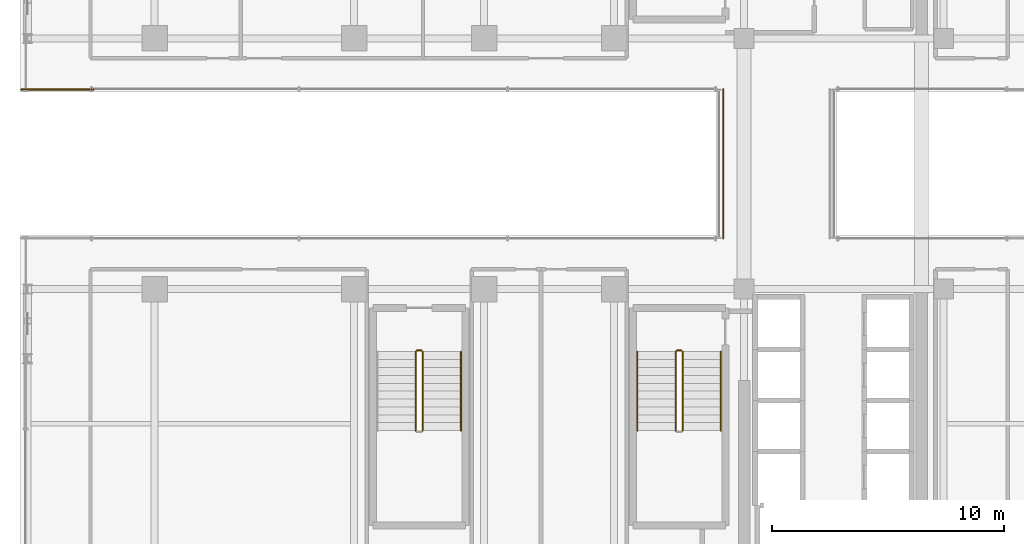
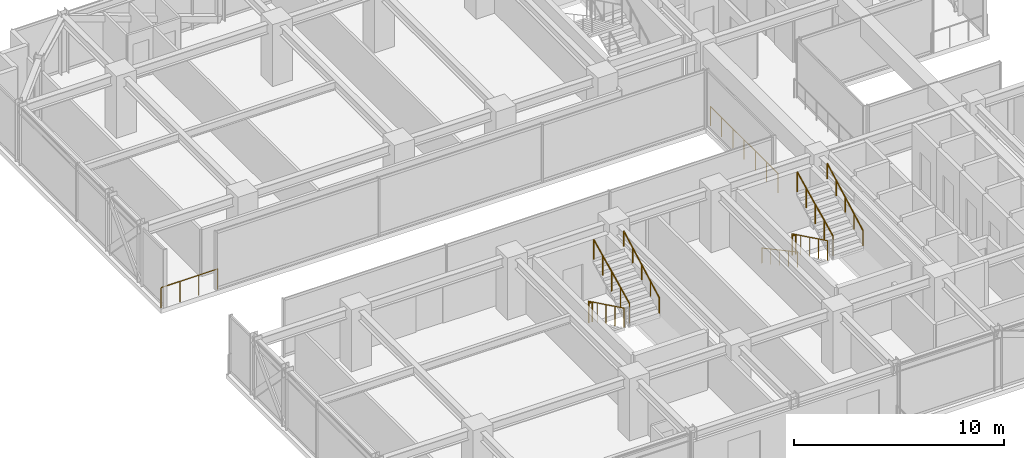
# One storey, part 36 of 38: 11 railings.
"""IFC4 building model written with IfcOpenShell, lengths in metres."""

from ifc_helpers import new_model, si_unit, direction, frame, origin, origin_2d, place, context, subcontext, project, spatial, circle, extrude, material, type_object, element, save


model = new_model("IFC4")

# Units and contexts
model_context = context("Model", 3, precision=1e-05, world=origin(), true_north=direction((0.0, 1.0)))
body_context = subcontext(model_context, "Body", "Model", "MODEL_VIEW")
ifc_project = project(units=[si_unit("LENGTHUNIT", "METRE"), si_unit("AREAUNIT", "SQUARE_METRE"), si_unit("VOLUMEUNIT", "CUBIC_METRE"), si_unit("PLANEANGLEUNIT", "RADIAN"), si_unit("MASSUNIT", "GRAM", prefix="KILO")], contexts=[model_context])

# Site, building, storey
site_placement = place(None, origin())
site = spatial("IfcSite", under=ifc_project, at=site_placement, CompositionType="ELEMENT")
building_placement = place(site_placement, origin())
building = spatial("IfcBuilding", under=site, at=building_placement, Name="Nahalor Promenade Grand Hotel", CompositionType="ELEMENT")
storey_placement = place(building_placement, frame((0.0, 0.0, 163.60009765625)))
storey = spatial("IfcBuildingStorey", under=building, at=storey_placement, Name="L41", CompositionType="ELEMENT", Elevation=163.60009765625)

# Railings
ifc_material_1 = material(Name="Anodised Bronze Aluminium EN AW-6063 T6", Category="aluminium")
railing_type_1 = type_object("IfcRailingType", Name="Bronze Balcony Guardrail 1200 mm", PredefinedType="GUARDRAIL", material=ifc_material_1)
railing_1_placement = place(storey_placement, frame((-22.739990234375, 3.199951171875, 0.0)))
element("IfcRailing", 1, at=railing_1_placement, inside=storey, type_object=railing_type_1, Name="L41 Oculus Void Edge Guardrail WN", PredefinedType="GUARDRAIL", context=body_context, shape_type="SweptSolid", body=[
    extrude(circle(Radius=0.024048, at=origin_2d()), frame((0.0, 0.0, 1.17578125), z_axis=(1.0, 0.0, 0.0), x_axis=(0.0, 1.0, 0.0)), (0.0, 0.0, 1.0), 3.119873046875),
    extrude(circle(Radius=0.020996, at=origin_2d()), origin(), (0.0, 0.0, 1.0), 1.14990234375),
    extrude(circle(Radius=0.020996, at=origin_2d()), frame((1.0400390625, 0.0, 0.0)), (0.0, 0.0, 1.0), 1.14990234375),
    extrude(circle(Radius=0.020996, at=origin_2d()), frame((2.079833984375, 0.0, 0.0)), (0.0, 0.0, 1.0), 1.14990234375),
    extrude(circle(Radius=0.020996, at=origin_2d()), frame((3.119873046875, 0.0, 0.0)), (0.0, 0.0, 1.0), 1.14990234375),
])
railing_type_2 = type_object("IfcRailingType", Name="Bronze Sky Balustrade 1150 mm", PredefinedType="BALUSTRADE", material=ifc_material_1)
railing_2_placement = place(storey_placement, frame((7.5, -3.219970703125, 0.0)))
element("IfcRailing", 2, at=railing_2_placement, inside=storey, type_object=railing_type_2, Name="BL-L41-BRG-W", PredefinedType="BALUSTRADE", context=body_context, shape_type="SweptSolid", body=[
    extrude(circle(Radius=0.024048, at=origin_2d()), frame((0.0, 0.0, 1.1259765625), z_axis=(0.0, 1.0, 0.0), x_axis=(-1.0, 0.0, 0.0)), (0.0, 0.0, 1.0), 6.43994140625),
    extrude(circle(Radius=0.020996, at=origin_2d()), origin(), (0.0, 0.0, 1.0), 1.099853515625),
    extrude(circle(Radius=0.020996, at=origin_2d()), frame((0.0, 1.0732421875, 0.0)), (0.0, 0.0, 1.0), 1.099853515625),
    extrude(circle(Radius=0.020996, at=origin_2d()), frame((0.0, 2.146728515625, 0.0)), (0.0, 0.0, 1.0), 1.099853515625),
    extrude(circle(Radius=0.020996, at=origin_2d()), frame((0.0, 3.219970703125, 0.0)), (0.0, 0.0, 1.0), 1.099853515625),
    extrude(circle(Radius=0.020996, at=origin_2d()), frame((0.0, 4.293212890625, 0.0)), (0.0, 0.0, 1.0), 1.099853515625),
    extrude(circle(Radius=0.020996, at=origin_2d()), frame((0.0, 5.36669921875, 0.0)), (0.0, 0.0, 1.0), 1.099853515625),
    extrude(circle(Radius=0.020996, at=origin_2d()), frame((0.0, 6.43994140625, 0.0)), (0.0, 0.0, 1.0), 1.099853515625),
])
ifc_material_2 = material(Name="Steel S355JR", Category="steel")
railing_type_3 = type_object("IfcRailingType", Name="Steel Stair Guardrail 1150 mm", PredefinedType="GUARDRAIL", material=ifc_material_2)
railing_3_placement = place(storey_placement, frame((5.449951171875, -8.10009765625, 0.165771484375)))
element("IfcRailing", 3, at=railing_3_placement, inside=storey, type_object=railing_type_3, Name="L41 ST2 stair guard 1", PredefinedType="GUARDRAIL", context=body_context, shape_type="SweptSolid", body=[
    extrude(circle(Radius=0.024048, at=origin_2d()), frame((0.0, 0.0, 1.1259765625), z_axis=(0.0, -0.898696488221, 0.438571114028), x_axis=(1.0, 0.0, 0.0)), (0.0, 0.0, 1.0), 3.783203125),
    extrude(circle(Radius=0.020996, at=origin_2d()), origin(), (0.0, 0.0, 1.0), 1.099853515625),
    extrude(circle(Radius=0.020996, at=origin_2d()), frame((0.0, -0.85009765625, 0.414794921875)), (0.0, 0.0, 1.0), 1.099853515625),
    extrude(circle(Radius=0.020996, at=origin_2d()), frame((0.0, -1.699951171875, 0.82958984375)), (0.0, 0.0, 1.0), 1.099853515625),
    extrude(circle(Radius=0.020996, at=origin_2d()), frame((0.0, -2.5498046875, 1.244384765625)), (0.0, 0.0, 1.0), 1.099853515625),
    extrude(circle(Radius=0.020996, at=origin_2d()), frame((0.0, -3.39990234375, 1.6591796875)), (0.0, 0.0, 1.0), 1.099853515625),
])
railing_4_placement = place(storey_placement, frame((5.75, -11.5, 1.99072265625)))
element("IfcRailing", 4, at=railing_4_placement, inside=storey, type_object=railing_type_3, Name="L41 ST2 stair guard 3", PredefinedType="GUARDRAIL", context=body_context, shape_type="SweptSolid", body=[
    extrude(circle(Radius=0.024048, at=origin_2d()), frame((0.0, 0.0, 1.1259765625), z_axis=(0.0, 0.898696488221, 0.438571114028), x_axis=(-1.0, 0.0, 0.0)), (0.0, 0.0, 1.0), 3.783203125),
    extrude(circle(Radius=0.020996, at=origin_2d()), origin(), (0.0, 0.0, 1.0), 1.099853515625),
    extrude(circle(Radius=0.020996, at=origin_2d()), frame((0.0, 0.85009765625, 0.414794921875)), (0.0, 0.0, 1.0), 1.099853515625),
    extrude(circle(Radius=0.020996, at=origin_2d()), frame((0.0, 1.699951171875, 0.82958984375)), (0.0, 0.0, 1.0), 1.099853515625),
    extrude(circle(Radius=0.020996, at=origin_2d()), frame((0.0, 2.5498046875, 1.244384765625)), (0.0, 0.0, 1.0), 1.099853515625),
    extrude(circle(Radius=0.020996, at=origin_2d()), frame((0.0, 3.39990234375, 1.6591796875)), (0.0, 0.0, 1.0), 1.099853515625),
])
railing_5_placement = place(storey_placement, frame((5.5, -8.050048828125, 0.0)))
element("IfcRailing", 5, at=railing_5_placement, inside=storey, type_object=railing_type_3, Name="L41 ST2 stair guard 4", PredefinedType="GUARDRAIL", context=body_context, shape_type="SweptSolid", body=[
    extrude(circle(Radius=0.024048, at=origin_2d()), frame((0.0, 0.0, 1.1259765625), z_axis=(1.0, 0.0, 0.0), x_axis=(0.0, 1.0, 0.0)), (0.0, 0.0, 1.0), 0.199951171875),
    extrude(circle(Radius=0.020996, at=origin_2d()), origin(), (0.0, 0.0, 1.0), 1.099853515625),
    extrude(circle(Radius=0.020996, at=origin_2d()), frame((0.199951171875, 0.0, 0.0)), (0.0, 0.0, 1.0), 1.099853515625),
])
railing_6_placement = place(storey_placement, frame((-5.75, -8.10009765625, 0.165771484375)))
element("IfcRailing", 6, at=railing_6_placement, inside=storey, type_object=railing_type_3, Name="L41 ST3 stair guard 1", PredefinedType="GUARDRAIL", context=body_context, shape_type="SweptSolid", body=[
    extrude(circle(Radius=0.024048, at=origin_2d()), frame((0.0, 0.0, 1.1259765625), z_axis=(0.0, -0.898696488221, 0.438571114028), x_axis=(1.0, 0.0, 0.0)), (0.0, 0.0, 1.0), 3.783203125),
    extrude(circle(Radius=0.020996, at=origin_2d()), origin(), (0.0, 0.0, 1.0), 1.099853515625),
    extrude(circle(Radius=0.020996, at=origin_2d()), frame((0.0, -0.85009765625, 0.414794921875)), (0.0, 0.0, 1.0), 1.099853515625),
    extrude(circle(Radius=0.020996, at=origin_2d()), frame((0.0, -1.699951171875, 0.82958984375)), (0.0, 0.0, 1.0), 1.099853515625),
    extrude(circle(Radius=0.020996, at=origin_2d()), frame((0.0, -2.5498046875, 1.244384765625)), (0.0, 0.0, 1.0), 1.099853515625),
    extrude(circle(Radius=0.020996, at=origin_2d()), frame((0.0, -3.39990234375, 1.6591796875)), (0.0, 0.0, 1.0), 1.099853515625),
])
railing_7_placement = place(storey_placement, frame((-5.449951171875, -11.5, 1.99072265625)))
element("IfcRailing", 7, at=railing_7_placement, inside=storey, type_object=railing_type_3, Name="L41 ST3 stair guard 3", PredefinedType="GUARDRAIL", context=body_context, shape_type="SweptSolid", body=[
    extrude(circle(Radius=0.024048, at=origin_2d()), frame((0.0, 0.0, 1.1259765625), z_axis=(0.0, 0.898696488221, 0.438571114028), x_axis=(-1.0, 0.0, 0.0)), (0.0, 0.0, 1.0), 3.783203125),
    extrude(circle(Radius=0.020996, at=origin_2d()), origin(), (0.0, 0.0, 1.0), 1.099853515625),
    extrude(circle(Radius=0.020996, at=origin_2d()), frame((0.0, 0.85009765625, 0.414794921875)), (0.0, 0.0, 1.0), 1.099853515625),
    extrude(circle(Radius=0.020996, at=origin_2d()), frame((0.0, 1.699951171875, 0.82958984375)), (0.0, 0.0, 1.0), 1.099853515625),
    extrude(circle(Radius=0.020996, at=origin_2d()), frame((0.0, 2.5498046875, 1.244384765625)), (0.0, 0.0, 1.0), 1.099853515625),
    extrude(circle(Radius=0.020996, at=origin_2d()), frame((0.0, 3.39990234375, 1.6591796875)), (0.0, 0.0, 1.0), 1.099853515625),
])
railing_8_placement = place(storey_placement, frame((-5.699951171875, -8.050048828125, 0.0)))
element("IfcRailing", 8, at=railing_8_placement, inside=storey, type_object=railing_type_3, Name="L41 ST3 stair guard 4", PredefinedType="GUARDRAIL", context=body_context, shape_type="SweptSolid", body=[
    extrude(circle(Radius=0.024048, at=origin_2d()), frame((0.0, 0.0, 1.1259765625), z_axis=(1.0, 0.0, 0.0), x_axis=(0.0, 1.0, 0.0)), (0.0, 0.0, 1.0), 0.199951171875),
    extrude(circle(Radius=0.020996, at=origin_2d()), origin(), (0.0, 0.0, 1.0), 1.099853515625),
    extrude(circle(Radius=0.020996, at=origin_2d()), frame((0.199951171875, 0.0, 0.0)), (0.0, 0.0, 1.0), 1.099853515625),
])
railing_type_4 = type_object("IfcRailingType", Name="Steel Stair Handrail 900 mm", PredefinedType="HANDRAIL", material=ifc_material_2)
railing_9_placement = place(storey_placement, frame((3.800048828125, -8.10009765625, 0.165771484375)))
element("IfcRailing", 9, at=railing_9_placement, inside=storey, type_object=railing_type_4, Name="L41 ST2 stair handrail 1", PredefinedType="HANDRAIL", context=body_context, shape_type="SweptSolid", body=[
    extrude(circle(Radius=0.024048, at=origin_2d()), frame((0.0, 0.0, 0.8759765625), z_axis=(0.0, -0.881094038095, 0.47294111265), x_axis=(1.0, 0.0, 0.0)), (0.0, 0.0, 1.0), 3.858642578125),
    extrude(circle(Radius=0.020996, at=origin_2d()), origin(), (0.0, 0.0, 1.0), 0.849853515625),
    extrude(circle(Radius=0.020996, at=origin_2d()), frame((0.0, -0.85009765625, 0.456298828125)), (0.0, 0.0, 1.0), 0.849853515625),
    extrude(circle(Radius=0.020996, at=origin_2d()), frame((0.0, -1.699951171875, 0.91259765625)), (0.0, 0.0, 1.0), 0.849853515625),
    extrude(circle(Radius=0.020996, at=origin_2d()), frame((0.0, -2.5498046875, 1.36865234375)), (0.0, 0.0, 1.0), 0.849853515625),
    extrude(circle(Radius=0.020996, at=origin_2d()), frame((0.0, -3.39990234375, 1.824951171875)), (0.0, 0.0, 1.0), 0.849853515625),
])
for number, where, name in (
    (10, (7.39990234375, -11.5, 1.99072265625), "L41 ST2 stair handrail 2"),
    (11, (-3.800048828125, -11.5, 1.99072265625), "L41 ST3 stair handrail 2"),
):
    element("IfcRailing", number, at=place(storey_placement, frame(where)), inside=storey, type_object=railing_type_4, Name=name, PredefinedType="HANDRAIL", context=body_context, shape_type="SweptSolid", body=[
        extrude(circle(Radius=0.024048, at=origin_2d()), frame((0.0, 0.0, 0.8759765625), z_axis=(0.0, 0.881067672671, 0.472990228413), x_axis=(-1.0, 0.0, 0.0)), (0.0, 0.0, 1.0), 3.85888671875),
        extrude(circle(Radius=0.020996, at=origin_2d()), origin(), (0.0, 0.0, 1.0), 0.849853515625),
        extrude(circle(Radius=0.020996, at=origin_2d()), frame((0.0, 0.85009765625, 0.456298828125)), (0.0, 0.0, 1.0), 0.849853515625),
        extrude(circle(Radius=0.020996, at=origin_2d()), frame((0.0, 1.699951171875, 0.91259765625)), (0.0, 0.0, 1.0), 0.849853515625),
        extrude(circle(Radius=0.020996, at=origin_2d()), frame((0.0, 2.5498046875, 1.368896484375)), (0.0, 0.0, 1.0), 0.849853515625),
        extrude(circle(Radius=0.020996, at=origin_2d()), frame((0.0, 3.39990234375, 1.8251953125)), (0.0, 0.0, 1.0), 0.849853515625),
    ])

save(model, "model.ifc")
